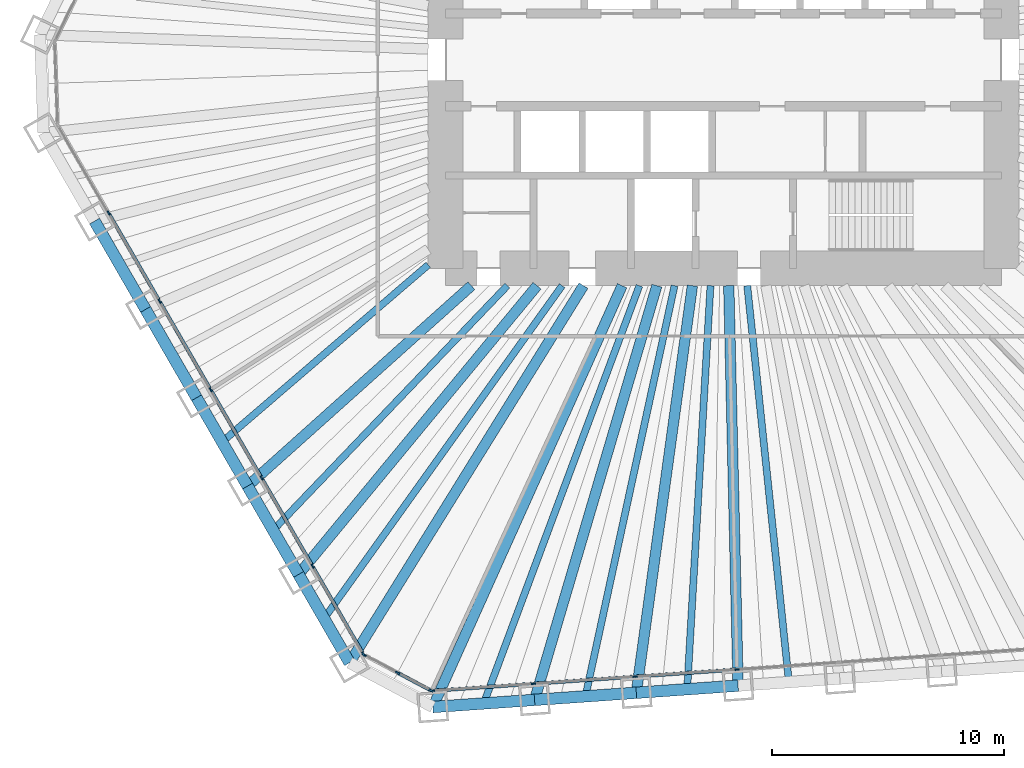
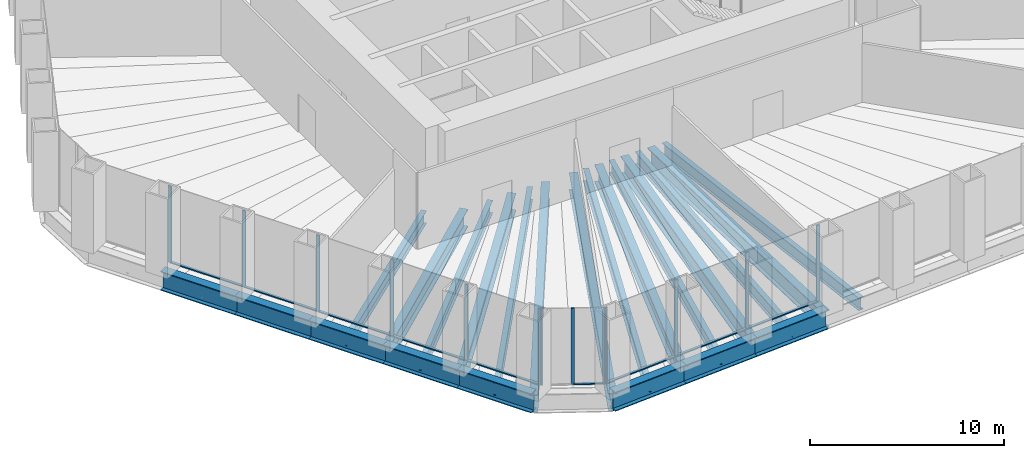
# One storey, part 2 of 14: 22 beams, 22 members, 3 elements without a shape of their own.
"""IFC4 building model written with IfcOpenShell, lengths in metres."""

from ifc_helpers import new_model, si_unit, direction, frame, origin, origin_2d, place, context, subcontext, project, spatial, rectangle, i_section, extrude, material, material_profile, profile_set, type_object, element, aggregate, save


model = new_model("IFC4")

# Units and contexts
model_context = context("Model", 3, precision=1e-05, world=origin(), true_north=direction((0.0, 1.0)))
body_context = subcontext(model_context, "Body", "Model", "MODEL_VIEW")
ifc_project = project(units=[si_unit("LENGTHUNIT", "METRE"), si_unit("AREAUNIT", "SQUARE_METRE"), si_unit("VOLUMEUNIT", "CUBIC_METRE"), si_unit("PLANEANGLEUNIT", "RADIAN"), si_unit("MASSUNIT", "GRAM", prefix="KILO")], contexts=[model_context])

# Site, building, storey
site_placement = place(None, origin())
site = spatial("IfcSite", under=ifc_project, at=site_placement, CompositionType="ELEMENT")
building_placement = place(site_placement, origin())
building = spatial("IfcBuilding", under=site, at=building_placement, Name="Qingtian Harvest Tower", CompositionType="ELEMENT")
storey_placement = place(building_placement, frame((0.0, 0.0, 52.0)))
storey = spatial("IfcBuildingStorey", under=building, at=storey_placement, Name="L10", CompositionType="ELEMENT", Elevation=52.0)

# Beams
ifc_material_1 = material(Name="Steel SM570MC", Category="steel")
ifc_material_profile_1 = material_profile(ifc_material_1, i_section(OverallWidth=0.449951171875, OverallDepth=1.10009765625, WebThickness=0.02197265625, FlangeThickness=0.044921875, at=origin_2d()), Name="H1100x450x22x45")
ifc_profile_set_1 = profile_set([ifc_material_profile_1], Name="Steel SM570MC")
beam_type_1 = type_object("IfcBeamType", Name="Corner floor beam FB8 H1100x450x22x45", PredefinedType="BEAM", material=ifc_profile_set_1)
beam_1_placement = place(storey_placement, frame((-12.552734375, -27.943603515625, -0.75), z_axis=(0.409769605538, 0.912189054077, 0.0), x_axis=(-0.912189054077, 0.409769605538, 0.0)))
element("IfcBeam", 1, at=beam_1_placement, inside=storey, type_object=beam_type_1, Name="Floor beam FB8 S6", PredefinedType="BEAM", context=body_context, shape_type="SweptSolid", body=[
    extrude(i_section(OverallWidth=0.449951171875, OverallDepth=1.10009765625, WebThickness=0.02197265625, FlangeThickness=0.044921875, at=origin_2d()), origin(), (0.0, 0.0, 1.0), 19.945068359375),
])
beam_2_placement = place(storey_placement, frame((-16.14697265625, -26.03271484375, -0.75), z_axis=(0.5270935495, 0.849807266429, 0.0), x_axis=(-0.849807266429, 0.5270935495, 0.0)))
element("IfcBeam", 2, at=beam_2_placement, inside=storey, type_object=beam_type_1, Name="Floor beam FB8 SW0", PredefinedType="BEAM", context=body_context, shape_type="SweptSolid", body=[
    extrude(i_section(OverallWidth=0.449951171875, OverallDepth=1.10009765625, WebThickness=0.02197265625, FlangeThickness=0.044921875, at=origin_2d()), origin(), (0.0, 0.0, 1.0), 19.160400390625),
])
ifc_material_2 = material(Name="Steel SM570MC", Category="steel")
ifc_material_profile_2 = material_profile(ifc_material_2, i_section(OverallWidth=0.449951171875, OverallDepth=1.10009765625, WebThickness=0.02197265625, FlangeThickness=0.044921875, at=origin_2d()), Name="H1100x450x22x45")
ifc_profile_set_2 = profile_set([ifc_material_profile_2], Name="Steel SM570MC")
beam_type_2 = type_object("IfcBeamType", Name="Floor beam FB1 H1100x450x22x45", PredefinedType="BEAM", material=ifc_profile_set_2)
beam_3_placement = place(storey_placement, frame((0.62890625, -27.02197265625, -0.75), z_axis=(-0.023274161941, 0.999729120005, 0.0), x_axis=(-0.999729120005, -0.023274161941, 0.0)))
element("IfcBeam", 3, at=beam_3_placement, inside=storey, type_object=beam_type_2, Name="Floor beam FB1 S3", PredefinedType="BEAM", context=body_context, shape_type="SweptSolid", body=[
    extrude(i_section(OverallWidth=0.449951171875, OverallDepth=1.10009765625, WebThickness=0.02197265625, FlangeThickness=0.044921875, at=origin_2d()), origin(), (0.0, 0.0, 1.0), 17.276611328125),
])
beam_4_placement = place(storey_placement, frame((-3.76513671875, -27.3291015625, -0.75), z_axis=(0.136480966577, 0.990642693287, 0.0), x_axis=(-0.990642693287, 0.136480966577, 0.0)))
element("IfcBeam", 4, at=beam_4_placement, inside=storey, type_object=beam_type_2, Name="Floor beam FB1 S4", PredefinedType="BEAM", context=body_context, shape_type="SweptSolid", body=[
    extrude(i_section(OverallWidth=0.449951171875, OverallDepth=1.10009765625, WebThickness=0.02197265625, FlangeThickness=0.044921875, at=origin_2d()), origin(), (0.0, 0.0, 1.0), 17.7451171875),
])
beam_5_placement = place(storey_placement, frame((-8.158935546875, -27.636474609375, -0.75), z_axis=(0.283142824758, 0.95907775534, 0.0), x_axis=(-0.95907775534, 0.283142824758, 0.0)))
element("IfcBeam", 5, at=beam_5_placement, inside=storey, type_object=beam_type_2, Name="Floor beam FB1 S5", PredefinedType="BEAM", context=body_context, shape_type="SweptSolid", body=[
    extrude(i_section(OverallWidth=0.449951171875, OverallDepth=1.10009765625, WebThickness=0.02197265625, FlangeThickness=0.044921875, at=origin_2d()), origin(), (0.0, 0.0, 1.0), 18.649658203125),
])
beam_6_placement = place(storey_placement, frame((-18.349365234375, -22.21826171875, -0.75), z_axis=(0.636780387972, 0.771045224026, 0.0), x_axis=(-0.771045224026, 0.636780387972, 0.0)))
element("IfcBeam", 6, at=beam_6_placement, inside=storey, type_object=beam_type_2, Name="Floor beam FB1 SW1", PredefinedType="BEAM", context=body_context, shape_type="SweptSolid", body=[
    extrude(i_section(OverallWidth=0.449951171875, OverallDepth=1.10009765625, WebThickness=0.02197265625, FlangeThickness=0.044921875, at=origin_2d()), origin(), (0.0, 0.0, 1.0), 16.170654296875),
])
beam_7_placement = place(storey_placement, frame((-20.551513671875, -18.403564453125, -0.75), z_axis=(0.744965104975, 0.667103434536, 0.0), x_axis=(-0.667103434536, 0.744965104975, 0.0)))
element("IfcBeam", 7, at=beam_7_placement, inside=storey, type_object=beam_type_2, Name="Floor beam FB1 SW2", PredefinedType="BEAM", context=body_context, shape_type="SweptSolid", body=[
    extrude(i_section(OverallWidth=0.449951171875, OverallDepth=1.10009765625, WebThickness=0.02197265625, FlangeThickness=0.044921875, at=origin_2d()), origin(), (0.0, 0.0, 1.0), 12.971923828125),
])
ifc_material_3 = material(Name="Steel SN490B", Category="steel")
ifc_material_profile_3 = material_profile(ifc_material_3, i_section(OverallWidth=0.300048828125, OverallDepth=0.800048828125, WebThickness=0.013916015625, FlangeThickness=0.02587890625, at=origin_2d()), Name="H800x300x14x26")
ifc_profile_set_3 = profile_set([ifc_material_profile_3], Name="Steel SN490B")
beam_type_3 = type_object("IfcBeamType", Name="Floor joist J1 H800x300x14x26", PredefinedType="JOIST", material=ifc_profile_set_3)
beam_8_placement = place(storey_placement, frame((2.82568359375, -26.868408203125, -0.60009765625), z_axis=(-0.104590278152, 0.99451539642, 0.0), x_axis=(-0.99451539642, -0.104590278152, 0.0)))
element("IfcBeam", 8, at=beam_8_placement, inside=storey, type_object=beam_type_3, Name="Floor joist J1 S2", PredefinedType="JOIST", context=body_context, shape_type="SweptSolid", body=[
    extrude(i_section(OverallWidth=0.300048828125, OverallDepth=0.800048828125, WebThickness=0.013916015625, FlangeThickness=0.02587890625, at=origin_2d()), origin(), (0.0, 0.0, 1.0), 17.212890625),
])
beam_9_placement = place(storey_placement, frame((-1.568115234375, -27.175537109375, -0.60009765625), z_axis=(0.057613424947, 0.998338967118, 0.0), x_axis=(-0.998338967118, 0.057613424947, 0.0)))
element("IfcBeam", 9, at=beam_9_placement, inside=storey, type_object=beam_type_3, Name="Floor joist J1 S3", PredefinedType="JOIST", context=body_context, shape_type="SweptSolid", body=[
    extrude(i_section(OverallWidth=0.300048828125, OverallDepth=0.800048828125, WebThickness=0.013916015625, FlangeThickness=0.02587890625, at=origin_2d()), origin(), (0.0, 0.0, 1.0), 17.45458984375),
])
beam_10_placement = place(storey_placement, frame((-5.9619140625, -27.48291015625, -0.60009765625), z_axis=(0.211992805661, 0.977271226604, 0.0), x_axis=(-0.977271226604, 0.211992805661, 0.0)))
element("IfcBeam", 10, at=beam_10_placement, inside=storey, type_object=beam_type_3, Name="Floor joist J1 S4", PredefinedType="JOIST", context=body_context, shape_type="SweptSolid", body=[
    extrude(i_section(OverallWidth=0.300048828125, OverallDepth=0.800048828125, WebThickness=0.013916015625, FlangeThickness=0.02587890625, at=origin_2d()), origin(), (0.0, 0.0, 1.0), 18.145263671875),
])
beam_11_placement = place(storey_placement, frame((-10.35595703125, -27.7900390625, -0.60009765625), z_axis=(0.349193741063, 0.937050548905, 0.0), x_axis=(-0.937050548905, 0.349193741063, 0.0)))
element("IfcBeam", 11, at=beam_11_placement, inside=storey, type_object=beam_type_3, Name="Floor joist J1 S5", PredefinedType="JOIST", context=body_context, shape_type="SweptSolid", body=[
    extrude(i_section(OverallWidth=0.300048828125, OverallDepth=0.800048828125, WebThickness=0.013916015625, FlangeThickness=0.02587890625, at=origin_2d()), origin(), (0.0, 0.0, 1.0), 19.251953125),
])
beam_12_placement = place(storey_placement, frame((-17.248046875, -24.12548828125, -0.60009765625), z_axis=(0.581580544546, 0.81348882611, 0.0), x_axis=(-0.81348882611, 0.581580544546, 0.0)))
element("IfcBeam", 12, at=beam_12_placement, inside=storey, type_object=beam_type_3, Name="Floor joist J1 SW0", PredefinedType="JOIST", context=body_context, shape_type="SweptSolid", body=[
    extrude(i_section(OverallWidth=0.300048828125, OverallDepth=0.800048828125, WebThickness=0.013916015625, FlangeThickness=0.02587890625, at=origin_2d()), origin(), (0.0, 0.0, 1.0), 17.67138671875),
])
beam_13_placement = place(storey_placement, frame((-19.450439453125, -20.31103515625, -0.60009765625), z_axis=(0.691639144398, 0.722243237377, 0.0), x_axis=(-0.722243237377, 0.691639144398, 0.0)))
element("IfcBeam", 13, at=beam_13_placement, inside=storey, type_object=beam_type_3, Name="Floor joist J1 SW1", PredefinedType="JOIST", context=body_context, shape_type="SweptSolid", body=[
    extrude(i_section(OverallWidth=0.300048828125, OverallDepth=0.800048828125, WebThickness=0.013916015625, FlangeThickness=0.02587890625, at=origin_2d()), origin(), (0.0, 0.0, 1.0), 14.62255859375),
])
beam_14_placement = place(storey_placement, frame((-21.652587890625, -16.496337890625, -0.60009765625), z_axis=(0.758605680154, 0.651550014994, 0.0), x_axis=(-0.651550014994, 0.758605680154, 0.0)))
element("IfcBeam", 14, at=beam_14_placement, inside=storey, type_object=beam_type_3, Name="Floor joist J1 SW2", PredefinedType="JOIST", context=body_context, shape_type="SweptSolid", body=[
    extrude(i_section(OverallWidth=0.300048828125, OverallDepth=0.800048828125, WebThickness=0.013916015625, FlangeThickness=0.02587890625, at=origin_2d()), origin(), (0.0, 0.0, 1.0), 11.7353515625),
])

# Curtain wall, members
ifc_material_4 = material(Name="Bronze-anodised aluminium curtain wall", Category="aluminium")
curtain_wall_type = type_object("IfcCurtainWallType", Name="Curtain wall CW2 farm reception", PredefinedType="USERDEFINED", material=ifc_material_4)
curtain_wall_1_placement = place(storey_placement, origin())
curtain_wall_1 = element("IfcCurtainWall", 15, at=curtain_wall_1_placement, inside=storey, type_object=curtain_wall_type, Name="Curtain wall CW2 L10 S0-5", ObjectType="RECESSED CURTAIN WALL", PredefinedType="USERDEFINED")
ifc_material_5 = material(Name="Bronze-anodised aluminium mullion", Category="aluminium")
ifc_material_profile_4 = material_profile(ifc_material_5, rectangle(XDim=0.06494140625, YDim=0.199951171875, at=origin_2d()), Name="AL 65x200")
ifc_profile_set_4 = profile_set([ifc_material_profile_4], Name="Bronze-anodised aluminium mullion")
member_type_1 = type_object("IfcMemberType", Name="Mullion CWM 65x200", PredefinedType="MULLION", material=ifc_profile_set_4)
member_1_placement = place(storey_placement, frame((0.580078125, -26.32373046875, 0.0), z_axis=(0.0, 0.0, 1.0), x_axis=(0.069756473744, -0.99756405026, 0.0)))
member_1 = element("IfcMember", 16, at=member_1_placement, type_object=member_type_1, Name="CW2 mullion 4", PredefinedType="MULLION", context=body_context, shape_type="SweptSolid", body=[
    extrude(rectangle(XDim=0.06494140625, YDim=0.199951171875, at=origin_2d()), origin(), (0.0, 0.0, 1.0), 4.800048828125),
])
member_2_placement = place(storey_placement, frame((-3.81396484375, -26.630859375, 0.0), z_axis=(0.0, 0.0, 1.0), x_axis=(0.069756473744, -0.99756405026, 0.0)))
member_2 = element("IfcMember", 17, at=member_2_placement, type_object=member_type_1, Name="CW2 mullion 5", PredefinedType="MULLION", context=body_context, shape_type="SweptSolid", body=[
    extrude(rectangle(XDim=0.06494140625, YDim=0.199951171875, at=origin_2d()), origin(), (0.0, 0.0, 1.0), 4.800048828125),
])
member_3_placement = place(storey_placement, frame((-8.207763671875, -26.938232421875, 0.0), z_axis=(0.0, 0.0, 1.0), x_axis=(0.069756473744, -0.99756405026, 0.0)))
member_3 = element("IfcMember", 18, at=member_3_placement, type_object=member_type_1, Name="CW2 mullion 6", PredefinedType="MULLION", context=body_context, shape_type="SweptSolid", body=[
    extrude(rectangle(XDim=0.06494140625, YDim=0.199951171875, at=origin_2d()), origin(), (0.0, 0.0, 1.0), 4.800048828125),
])
member_4_placement = place(storey_placement, frame((-12.569091796875, -27.2431640625, 0.0), z_axis=(0.0, 0.0, 1.0), x_axis=(0.069756473744, -0.99756405026, 0.0)))
member_4 = element("IfcMember", 19, at=member_4_placement, type_object=member_type_1, Name="CW2 mullion 7", PredefinedType="MULLION", context=body_context, shape_type="SweptSolid", body=[
    extrude(rectangle(XDim=0.06494140625, YDim=0.199951171875, at=origin_2d()), origin(), (0.0, 0.0, 1.0), 4.800048828125),
])

curtain_wall_2_placement = place(storey_placement, origin())
curtain_wall_2 = element("IfcCurtainWall", 20, at=curtain_wall_2_placement, inside=storey, type_object=curtain_wall_type, Name="Curtain wall CW2 L10 SC", ObjectType="RECESSED CURTAIN WALL", PredefinedType="USERDEFINED")
member_5_placement = place(storey_placement, frame((-12.63037109375, -27.230224609375, 0.0), z_axis=(0.0, 0.0, 1.0), x_axis=(-0.469471562786, -0.882947592859, 0.0)))
member_5 = element("IfcMember", 21, at=member_5_placement, type_object=member_type_1, Name="CW2 mullion 1", PredefinedType="MULLION", context=body_context, shape_type="SweptSolid", body=[
    extrude(rectangle(XDim=0.06494140625, YDim=0.199951171875, at=origin_2d()), origin(), (0.0, 0.0, 1.0), 4.800048828125),
])
member_6_placement = place(storey_placement, frame((-14.0712890625, -26.464111328125, 0.0), z_axis=(0.0, 0.0, 1.0), x_axis=(-0.469471562786, -0.882947592859, 0.0)))
member_6 = element("IfcMember", 22, at=member_6_placement, type_object=member_type_1, Name="CW2 mullion 2", PredefinedType="MULLION", context=body_context, shape_type="SweptSolid", body=[
    extrude(rectangle(XDim=0.06494140625, YDim=0.199951171875, at=origin_2d()), origin(), (0.0, 0.0, 1.0), 4.800048828125),
])
member_7_placement = place(storey_placement, frame((-15.511962890625, -25.697998046875, 0.0), z_axis=(0.0, 0.0, 1.0), x_axis=(-0.469471562786, -0.882947592859, 0.0)))
member_7 = element("IfcMember", 23, at=member_7_placement, type_object=member_type_1, Name="CW2 mullion 3", PredefinedType="MULLION", context=body_context, shape_type="SweptSolid", body=[
    extrude(rectangle(XDim=0.06494140625, YDim=0.199951171875, at=origin_2d()), origin(), (0.0, 0.0, 1.0), 4.800048828125),
])

curtain_wall_3_placement = place(storey_placement, origin())
curtain_wall_3 = element("IfcCurtainWall", 24, at=curtain_wall_3_placement, inside=storey, type_object=curtain_wall_type, Name="Curtain wall CW2 L10 SW0-5", ObjectType="RECESSED CURTAIN WALL", PredefinedType="USERDEFINED")
member_8_placement = place(storey_placement, frame((-15.556884765625, -25.654541015625, 0.0), z_axis=(0.0, 0.0, 1.0), x_axis=(-0.866025403784, -0.5, 0.0)))
member_8 = element("IfcMember", 25, at=member_8_placement, type_object=member_type_1, Name="CW2 mullion 1", PredefinedType="MULLION", context=body_context, shape_type="SweptSolid", body=[
    extrude(rectangle(XDim=0.06494140625, YDim=0.199951171875, at=origin_2d()), origin(), (0.0, 0.0, 1.0), 4.800048828125),
])
member_9_placement = place(storey_placement, frame((-17.742919921875, -21.8681640625, 0.0), z_axis=(0.0, 0.0, 1.0), x_axis=(-0.866025403784, -0.5, 0.0)))
member_9 = element("IfcMember", 26, at=member_9_placement, type_object=member_type_1, Name="CW2 mullion 2", PredefinedType="MULLION", context=body_context, shape_type="SweptSolid", body=[
    extrude(rectangle(XDim=0.06494140625, YDim=0.199951171875, at=origin_2d()), origin(), (0.0, 0.0, 1.0), 4.800048828125),
])
member_10_placement = place(storey_placement, frame((-19.9453125, -18.0537109375, 0.0), z_axis=(0.0, 0.0, 1.0), x_axis=(-0.866025403784, -0.5, 0.0)))
member_10 = element("IfcMember", 27, at=member_10_placement, type_object=member_type_1, Name="CW2 mullion 3", PredefinedType="MULLION", context=body_context, shape_type="SweptSolid", body=[
    extrude(rectangle(XDim=0.06494140625, YDim=0.199951171875, at=origin_2d()), origin(), (0.0, 0.0, 1.0), 4.800048828125),
])
member_11_placement = place(storey_placement, frame((-22.147705078125, -14.2392578125, 0.0), z_axis=(0.0, 0.0, 1.0), x_axis=(-0.866025403784, -0.5, 0.0)))
member_11 = element("IfcMember", 28, at=member_11_placement, type_object=member_type_1, Name="CW2 mullion 4", PredefinedType="MULLION", context=body_context, shape_type="SweptSolid", body=[
    extrude(rectangle(XDim=0.06494140625, YDim=0.199951171875, at=origin_2d()), origin(), (0.0, 0.0, 1.0), 4.800048828125),
])
member_12_placement = place(storey_placement, frame((-24.349853515625, -10.424560546875, 0.0), z_axis=(0.0, 0.0, 1.0), x_axis=(-0.866025403784, -0.5, 0.0)))
member_12 = element("IfcMember", 29, at=member_12_placement, type_object=member_type_1, Name="CW2 mullion 5", PredefinedType="MULLION", context=body_context, shape_type="SweptSolid", body=[
    extrude(rectangle(XDim=0.06494140625, YDim=0.199951171875, at=origin_2d()), origin(), (0.0, 0.0, 1.0), 4.800048828125),
])
member_13_placement = place(storey_placement, frame((-26.55224609375, -6.610107421875, 0.0), z_axis=(0.0, 0.0, 1.0), x_axis=(-0.866025403784, -0.5, 0.0)))
member_13 = element("IfcMember", 30, at=member_13_placement, type_object=member_type_1, Name="CW2 mullion 6", PredefinedType="MULLION", context=body_context, shape_type="SweptSolid", body=[
    extrude(rectangle(XDim=0.06494140625, YDim=0.199951171875, at=origin_2d()), origin(), (0.0, 0.0, 1.0), 4.800048828125),
])

# Beams
ifc_material_6 = material(Name="Steel SM570MC", Category="steel")
ifc_material_profile_5 = material_profile(ifc_material_6, i_section(OverallWidth=0.5, OverallDepth=1.199951171875, WebThickness=0.02490234375, FlangeThickness=0.050048828125, at=origin_2d()), Name="H1200x500x25x50")
ifc_profile_set_5 = profile_set([ifc_material_profile_5], Name="Steel SM570MC")
beam_type_4 = type_object("IfcBeamType", Name="Spandrel beam SB1 H1200x500x25x50", PredefinedType="SPANDREL", material=ifc_profile_set_5)
beam_15_placement = place(storey_placement, frame((0.62890625, -27.02197265625, -0.60009765625), z_axis=(-0.997566143208, -0.069726536735, 0.0), x_axis=(0.069726536735, -0.997566143208, 0.0)))
element("IfcBeam", 31, at=beam_15_placement, inside=storey, type_object=beam_type_4, Name="Spandrel SB1 S3", PredefinedType="SPANDREL", context=body_context, shape_type="SweptSolid", body=[
    extrude(i_section(OverallWidth=0.5, OverallDepth=1.199951171875, WebThickness=0.02490234375, FlangeThickness=0.050048828125, at=origin_2d()), origin(), (0.0, 0.0, 1.0), 4.40478515625),
])
for number, where, z_axis, x_axis, name in (
    (32, (-3.76513671875, -27.3291015625, -0.60009765625), (-0.997562016486, -0.069785551967, 0.0), (0.069785551967, -0.997562016486, 0.0), "Spandrel SB1 S4"),
    (33, (-8.158935546875, -27.636474609375, -0.60009765625), (-0.997565873714, -0.069730392239, 0.0), (0.069730392239, -0.997565873714, 0.0), "Spandrel SB1 S5"),
    (34, (-16.14697265625, -26.03271484375, -0.60009765625), (-0.50001992892, 0.866013897511, 0.0), (-0.866013897511, -0.50001992892, 0.0), "Spandrel SB1 SW0"),
):
    element("IfcBeam", number, at=place(storey_placement, frame(where, z_axis=z_axis, x_axis=x_axis)), inside=storey, type_object=beam_type_4, Name=name, PredefinedType="SPANDREL", context=body_context, shape_type="SweptSolid", body=[
        extrude(i_section(OverallWidth=0.5, OverallDepth=1.199951171875, WebThickness=0.02490234375, FlangeThickness=0.050048828125, at=origin_2d()), origin(), (0.0, 0.0, 1.0), 4.404541015625),
    ])
beam_16_placement = place(storey_placement, frame((-18.349365234375, -22.21826171875, -0.60009765625), z_axis=(-0.499954356739, 0.86605175433, 0.0), x_axis=(-0.86605175433, -0.499954356739, 0.0)))
element("IfcBeam", 35, at=beam_16_placement, inside=storey, type_object=beam_type_4, Name="Spandrel SB1 SW1", PredefinedType="SPANDREL", context=body_context, shape_type="SweptSolid", body=[
    extrude(i_section(OverallWidth=0.5, OverallDepth=1.199951171875, WebThickness=0.02490234375, FlangeThickness=0.050048828125, at=origin_2d()), origin(), (0.0, 0.0, 1.0), 4.40478515625),
])
for number, where, z_axis, x_axis, name in (
    (36, (-20.551513671875, -18.403564453125, -0.60009765625), (-0.50001992892, 0.866013897511, 0.0), (-0.866013897511, -0.50001992892, 0.0), "Spandrel SB1 SW2"),
    (37, (-22.75390625, -14.589111328125, -0.60009765625), (-0.499978356969, 0.866037899034, 0.0), (-0.866037899034, -0.499978356969, 0.0), "Spandrel SB1 SW3"),
    (38, (-24.9560546875, -10.774658203125, -0.60009765625), (-0.50001992892, 0.866013897511, 0.0), (-0.866013897511, -0.50001992892, 0.0), "Spandrel SB1 SW4"),
):
    element("IfcBeam", number, at=place(storey_placement, frame(where, z_axis=z_axis, x_axis=x_axis)), inside=storey, type_object=beam_type_4, Name=name, PredefinedType="SPANDREL", context=body_context, shape_type="SweptSolid", body=[
        extrude(i_section(OverallWidth=0.5, OverallDepth=1.199951171875, WebThickness=0.02490234375, FlangeThickness=0.050048828125, at=origin_2d()), origin(), (0.0, 0.0, 1.0), 4.404541015625),
    ])

# Member
ifc_material_7 = material(Name="Bronze-anodised aluminium transom", Category="aluminium")
ifc_material_profile_6 = material_profile(ifc_material_7, rectangle(XDim=0.14990234375, YDim=0.06494140625, at=origin_2d()), Name="AL 65x150")
ifc_profile_set_6 = profile_set([ifc_material_profile_6], Name="Bronze-anodised aluminium transom")
member_type_2 = type_object("IfcMemberType", Name="Transom CWT 65x150", PredefinedType="USERDEFINED", material=ifc_profile_set_6)
member_14_placement = place(storey_placement, frame((0.547607421875, -26.325927734375, 0.032470703125), z_axis=(-0.997563824095, -0.069759707979, 0.0), x_axis=(0.069759707979, -0.997563824095, 0.0)))
member_14 = element("IfcMember", 39, at=member_14_placement, type_object=member_type_2, Name="CW2 transom 4.1", ObjectType="TRANSOM", PredefinedType="USERDEFINED", context=body_context, shape_type="SweptSolid", body=[
    extrude(rectangle(XDim=0.14990234375, YDim=0.06494140625, at=origin_2d()), origin(), (0.0, 0.0, 1.0), 4.339599609375),
])

member_15_placement = place(storey_placement, frame((-3.84619140625, -26.63330078125, 0.032470703125), z_axis=(-0.997567737508, -0.069703723594, 0.0), x_axis=(0.069703723594, -0.997567737508, 0.0)))
member_15 = element("IfcMember", 40, at=member_15_placement, type_object=member_type_2, Name="CW2 transom 5.1", ObjectType="TRANSOM", PredefinedType="USERDEFINED", context=body_context, shape_type="SweptSolid", body=[
    extrude(rectangle(XDim=0.14990234375, YDim=0.06494140625, at=origin_2d()), origin(), (0.0, 0.0, 1.0), 4.339599609375),
])

member_16_placement = place(storey_placement, frame((-8.240234375, -26.9404296875, 0.032470703125), z_axis=(-0.997562637827, -0.069776669536, 0.0), x_axis=(0.069776669536, -0.997562637827, 0.0)))
member_16 = element("IfcMember", 41, at=member_16_placement, type_object=member_type_2, Name="CW2 transom 6.1", ObjectType="TRANSOM", PredefinedType="USERDEFINED", context=body_context, shape_type="SweptSolid", body=[
    extrude(rectangle(XDim=0.14990234375, YDim=0.06494140625, at=origin_2d()), origin(), (0.0, 0.0, 1.0), 4.30712890625),
])

aggregate(curtain_wall_1, [member_1, member_2, member_3, member_4, member_14, member_15, member_16])

member_17_placement = place(storey_placement, frame((-12.658935546875, -27.21484375, 0.032470703125), z_axis=(-0.882960338349, 0.46944759122, 0.0), x_axis=(-0.46944759122, -0.882960338349, 0.0)))
member_17 = element("IfcMember", 42, at=member_17_placement, type_object=member_type_2, Name="CW2 transom 1.1", ObjectType="TRANSOM", PredefinedType="USERDEFINED", context=body_context, shape_type="SweptSolid", body=[
    extrude(rectangle(XDim=0.14990234375, YDim=0.06494140625, at=origin_2d()), origin(), (0.0, 0.0, 1.0), 1.56689453125),
])

aggregate(curtain_wall_2, [member_5, member_6, member_7, member_17])

member_18_placement = place(storey_placement, frame((-15.5732421875, -25.62646484375, 0.032470703125), z_axis=(-0.499985768833, 0.866033619997, 0.0), x_axis=(-0.866033619997, -0.499985768833, 0.0)))
member_18 = element("IfcMember", 43, at=member_18_placement, type_object=member_type_2, Name="CW2 transom 1.1", ObjectType="TRANSOM", PredefinedType="USERDEFINED", context=body_context, shape_type="SweptSolid", body=[
    extrude(rectangle(XDim=0.14990234375, YDim=0.06494140625, at=origin_2d()), origin(), (0.0, 0.0, 1.0), 4.307373046875),
])

member_19_placement = place(storey_placement, frame((-17.75927734375, -21.840087890625, 0.032470703125), z_axis=(-0.500011390128, 0.866018827591, 0.0), x_axis=(-0.866018827591, -0.500011390128, 0.0)))
member_19 = element("IfcMember", 44, at=member_19_placement, type_object=member_type_2, Name="CW2 transom 2.1", ObjectType="TRANSOM", PredefinedType="USERDEFINED", context=body_context, shape_type="SweptSolid", body=[
    extrude(rectangle(XDim=0.14990234375, YDim=0.06494140625, at=origin_2d()), origin(), (0.0, 0.0, 1.0), 4.33984375),
])

member_20_placement = place(storey_placement, frame((-19.961669921875, -18.025634765625, 0.032470703125), z_axis=(-0.499969196308, 0.866043187574, 0.0), x_axis=(-0.866043187574, -0.499969196308, 0.0)))
member_20 = element("IfcMember", 45, at=member_20_placement, type_object=member_type_2, Name="CW2 transom 3.1", ObjectType="TRANSOM", PredefinedType="USERDEFINED", context=body_context, shape_type="SweptSolid", body=[
    extrude(rectangle(XDim=0.14990234375, YDim=0.06494140625, at=origin_2d()), origin(), (0.0, 0.0, 1.0), 4.339599609375),
])

member_21_placement = place(storey_placement, frame((-22.163818359375, -14.2109375, 0.032470703125), z_axis=(-0.500035751442, 0.866004761696, 0.0), x_axis=(-0.866004761696, -0.500035751442, 0.0)))
member_21 = element("IfcMember", 46, at=member_21_placement, type_object=member_type_2, Name="CW2 transom 4.1", ObjectType="TRANSOM", PredefinedType="USERDEFINED", context=body_context, shape_type="SweptSolid", body=[
    extrude(rectangle(XDim=0.14990234375, YDim=0.06494140625, at=origin_2d()), origin(), (0.0, 0.0, 1.0), 4.339599609375),
])

member_22_placement = place(storey_placement, frame((-24.3662109375, -10.396484375, 0.032470703125), z_axis=(-0.499993556937, 0.866029123656, 0.0), x_axis=(-0.866029123656, -0.499993556937, 0.0)))
member_22 = element("IfcMember", 47, at=member_22_placement, type_object=member_type_2, Name="CW2 transom 5.1", ObjectType="TRANSOM", PredefinedType="USERDEFINED", context=body_context, shape_type="SweptSolid", body=[
    extrude(rectangle(XDim=0.14990234375, YDim=0.06494140625, at=origin_2d()), origin(), (0.0, 0.0, 1.0), 4.33935546875),
])

aggregate(curtain_wall_3, [member_8, member_9, member_10, member_11, member_12, member_13, member_18, member_19, member_20, member_21, member_22])

save(model, "model.ifc")
